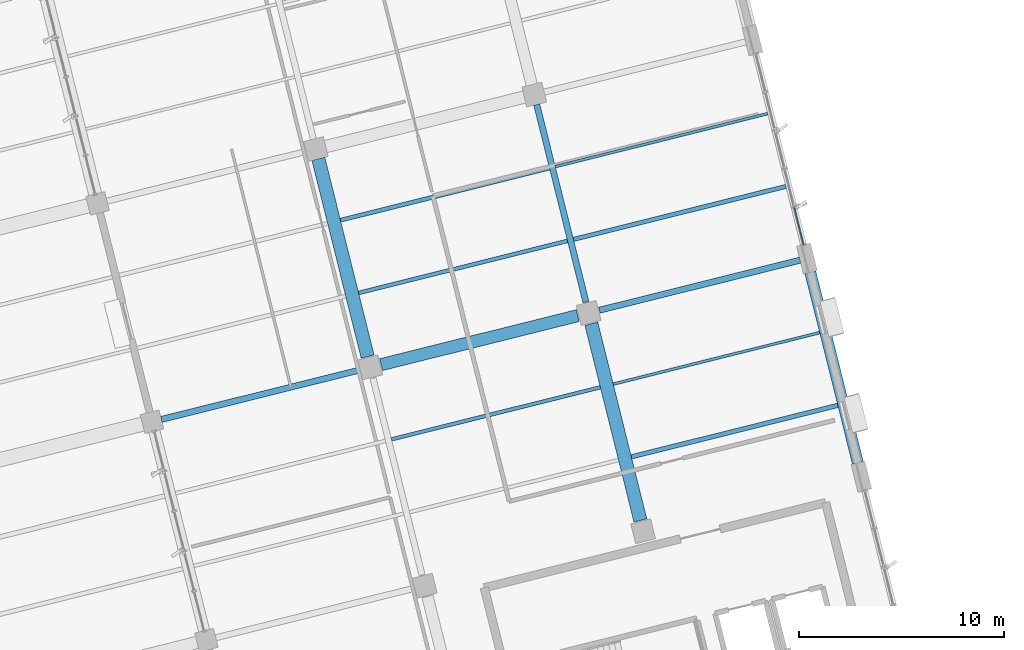
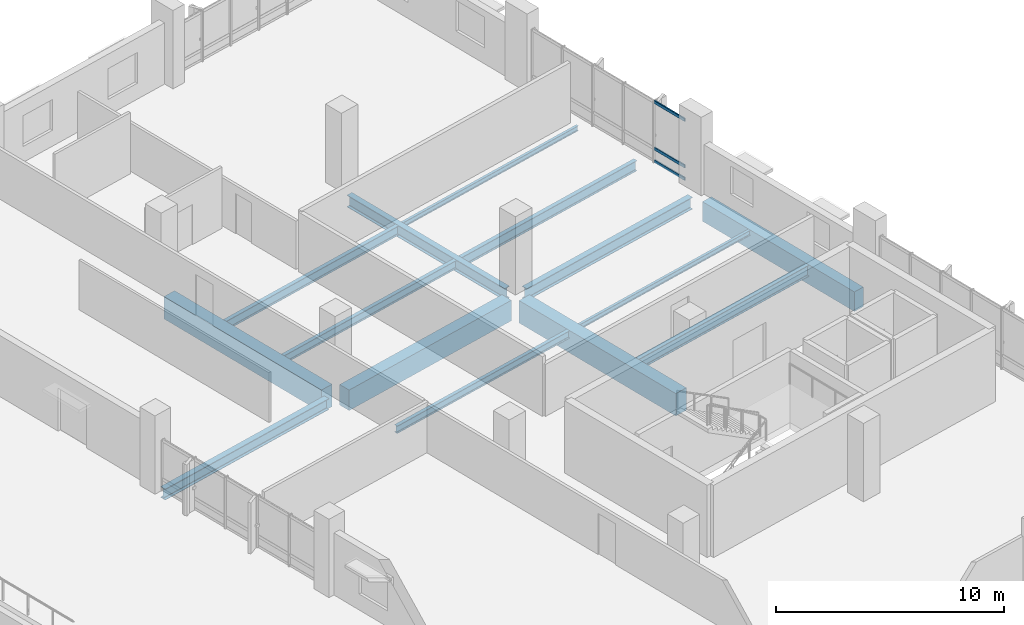
# One storey, part 39 of 75: 14 beams, 3 members, 1 element without a shape of its own.
"""IFC4 building model written with IfcOpenShell, lengths in metres."""

from ifc_helpers import new_model, si_unit, direction, frame, origin, origin_2d, place, context, subcontext, project, spatial, rectangle, hollow_rectangle, i_section, extrude, material, layer, layer_set, material_profile, profile_set, type_object, element, aggregate, save


model = new_model("IFC4")

# Units and contexts
model_context = context("Model", 3, precision=1e-05, world=origin(), true_north=direction((0.0, 1.0)))
body_context = subcontext(model_context, "Body", "Model", "MODEL_VIEW")
ifc_project = project(units=[si_unit("LENGTHUNIT", "METRE"), si_unit("AREAUNIT", "SQUARE_METRE"), si_unit("VOLUMEUNIT", "CUBIC_METRE"), si_unit("PLANEANGLEUNIT", "RADIAN"), si_unit("MASSUNIT", "GRAM", prefix="KILO")], contexts=[model_context])

# Site, building, storey
site_placement = place(None, origin())
site = spatial("IfcSite", under=ifc_project, at=site_placement, CompositionType="ELEMENT")
building_placement = place(site_placement, origin())
building = spatial("IfcBuilding", under=site, at=building_placement, Name="Khorjan Park Terminus", CompositionType="ELEMENT")
storey_placement = place(building_placement, frame((0.0, 0.0, 16.2)))
storey = spatial("IfcBuildingStorey", under=building, at=storey_placement, Name="L03", CompositionType="ELEMENT", Elevation=16.2)

# Beams
ifc_material_1 = material(Name="Steel S355", Category="steel")
ifc_material_profile_1 = material_profile(ifc_material_1, i_section(OverallWidth=0.3, OverallDepth=0.59, WebThickness=0.013, FlangeThickness=0.025, FilletRadius=0.027, at=origin_2d()), Name="HEA 600")
ifc_profile_set_1 = profile_set([ifc_material_profile_1], Name="Steel S355")
beam_type_1 = type_object("IfcBeamType", Name="BM-HEA600", PredefinedType="BEAM", material=ifc_profile_set_1)
beam_1_placement = place(storey_placement, frame((187.8312, 52.7901, -0.645), z_axis=(0.970295477616, 0.241922892916, 0.0), x_axis=(-0.241922892916, 0.970295477616, 0.0)))
element("IfcBeam", 1, at=beam_1_placement, inside=storey, type_object=beam_type_1, Name="Primary skew-grid floor girder SB-A60 (L03)", PredefinedType="BEAM", context=body_context, shape_type="SweptSolid", body=[
    extrude(i_section(OverallWidth=0.3, OverallDepth=0.59, WebThickness=0.013, FlangeThickness=0.025, FilletRadius=0.027, at=origin_2d()), origin(), (0.0, 0.0, 1.0), 9.985),
])
ifc_material_profile_2 = material_profile(ifc_material_1, i_section(OverallWidth=0.3, OverallDepth=0.64, WebThickness=0.0135, FlangeThickness=0.026, FilletRadius=0.027, at=origin_2d()), Name="HEA 650")
ifc_profile_set_2 = profile_set([ifc_material_profile_2], Name="Steel S355")
beam_type_2 = type_object("IfcBeamType", Name="BM-HEA650", PredefinedType="BEAM", material=ifc_profile_set_2)
beam_2_placement = place(storey_placement, frame((209.2505, 58.1306, -0.67), z_axis=(0.970296490369, 0.241918830968, 0.0), x_axis=(-0.241918830968, 0.970296490369, 0.0)))
element("IfcBeam", 2, at=beam_2_placement, inside=storey, type_object=beam_type_2, Name="Primary skew-grid floor girder SB-A65 (L03)", PredefinedType="BEAM", context=body_context, shape_type="SweptSolid", body=[
    extrude(i_section(OverallWidth=0.3, OverallDepth=0.64, WebThickness=0.0135, FlangeThickness=0.026, FilletRadius=0.027, at=origin_2d()), origin(), (0.0, 0.0, 1.0), 10.11),
])
beam_3_placement = place(storey_placement, frame((208.5899, 58.5275, -0.67), z_axis=(-0.241926084459, 0.970294681867, 0.0), x_axis=(-0.970294681867, -0.241926084459, 0.0)))
element("IfcBeam", 3, at=beam_3_placement, inside=storey, type_object=beam_type_2, Name="Primary skew-grid floor girder SB-A65 (L03)", PredefinedType="BEAM", context=body_context, shape_type="SweptSolid", body=[
    extrude(i_section(OverallWidth=0.3, OverallDepth=0.64, WebThickness=0.0135, FlangeThickness=0.026, FilletRadius=0.027, at=origin_2d()), origin(), (0.0, 0.0, 1.0), 9.9601),
])
ifc_material_2 = material(Name="Concrete C40/50", Category="concrete")
ifc_material_profile_3 = material_profile(ifc_material_2, rectangle(XDim=0.55, YDim=1.05, at=origin_2d()), Name="RC 550x1050")
ifc_profile_set_3 = profile_set([ifc_material_profile_3], Name="Concrete C40/50")
beam_type_3 = type_object("IfcBeamType", Name="BM-RC550x1050", PredefinedType="BEAM", material=ifc_profile_set_3)
beam_4_placement = place(storey_placement, frame((221.888, 50.661, -0.875), z_axis=(-0.241925915978, 0.970294723874, 0.0), x_axis=(-0.970294723874, -0.241925915978, 0.0)))
element("IfcBeam", 4, at=beam_4_placement, inside=storey, type_object=beam_type_3, Name="Primary skew-grid floor girder GB-105 (L03)", PredefinedType="BEAM", context=body_context, shape_type="SweptSolid", body=[
    extrude(rectangle(XDim=0.55, YDim=1.05, at=origin_2d()), origin(), (0.0, 0.0, 1.0), 9.61),
])
ifc_material_profile_4 = material_profile(ifc_material_2, rectangle(XDim=0.6, YDim=1.1, at=origin_2d()), Name="RC 600x1100")
ifc_profile_set_4 = profile_set([ifc_material_profile_4], Name="Concrete C40/50")
beam_type_4 = type_object("IfcBeamType", Name="BM-RC600x1100", PredefinedType="BEAM", material=ifc_profile_set_4)
beam_5_placement = place(storey_placement, frame((198.5773, 55.4694, -0.9), z_axis=(0.970294265828, 0.24192775306, 0.0), x_axis=(-0.24192775306, 0.970294265828, 0.0)))
element("IfcBeam", 5, at=beam_5_placement, inside=storey, type_object=beam_type_4, Name="Primary skew-grid floor girder GB-11 (L03)", PredefinedType="BEAM", context=body_context, shape_type="SweptSolid", body=[
    extrude(rectangle(XDim=0.6, YDim=1.1, at=origin_2d()), origin(), (0.0, 0.0, 1.0), 9.91),
])
ifc_material_profile_5 = material_profile(ifc_material_2, rectangle(XDim=0.65, YDim=1.2, at=origin_2d()), Name="RC 650x1200")
ifc_profile_set_5 = profile_set([ifc_material_profile_5], Name="Concrete C40/50")
beam_type_5 = type_object("IfcBeamType", Name="BM-RC650x1200", PredefinedType="BEAM", material=ifc_profile_set_5)
beam_6_placement = place(storey_placement, frame((197.9166, 55.8664, -0.95), z_axis=(-0.241918988709, 0.970296451041, 0.0), x_axis=(-0.970296451041, -0.241918988709, 0.0)))
element("IfcBeam", 6, at=beam_6_placement, inside=storey, type_object=beam_type_5, Name="Primary skew-grid floor girder GB-12 (L03)", PredefinedType="BEAM", context=body_context, shape_type="SweptSolid", body=[
    extrude(rectangle(XDim=0.65, YDim=1.2, at=origin_2d()), origin(), (0.0, 0.0, 1.0), 9.9599),
])
beam_7_placement = place(storey_placement, frame((211.251, 47.8543, -0.95), z_axis=(-0.24192775306, 0.970294265828, 0.0), x_axis=(-0.970294265828, -0.24192775306, 0.0)))
element("IfcBeam", 7, at=beam_7_placement, inside=storey, type_object=beam_type_5, Name="Primary skew-grid floor girder GB-12 (L03)", PredefinedType="BEAM", context=body_context, shape_type="SweptSolid", body=[
    extrude(rectangle(XDim=0.65, YDim=1.2, at=origin_2d()), origin(), (0.0, 0.0, 1.0), 9.91),
])
ifc_material_profile_6 = material_profile(ifc_material_1, i_section(OverallWidth=0.135, OverallDepth=0.27, WebThickness=0.0066, FlangeThickness=0.0102, FilletRadius=0.015, at=origin_2d()), Name="IPE 270")
ifc_profile_set_6 = profile_set([ifc_material_profile_6], Name="Steel S355")
beam_type_6 = type_object("IfcBeamType", Name="JS-IPE270", PredefinedType="JOIST", material=ifc_profile_set_6)
beam_8_placement = place(storey_placement, frame((209.9241, 54.5196, -0.485), z_axis=(0.970297843589, 0.241913403364, 0.0), x_axis=(-0.241913403364, 0.970297843589, 0.0)))
element("IfcBeam", 8, at=beam_8_placement, inside=storey, type_object=beam_type_6, Name="Secondary composite floor joist SJ-27 (L03)", PredefinedType="JOIST", context=body_context, shape_type="SweptSolid", body=[
    extrude(i_section(OverallWidth=0.135, OverallDepth=0.27, WebThickness=0.0066, FlangeThickness=0.0102, FilletRadius=0.015, at=origin_2d()), origin(), (0.0, 0.0, 1.0), 10.4),
])
beam_9_placement = place(storey_placement, frame((207.0932, 65.1505, -0.485), z_axis=(0.970296784962, 0.241917649404, 0.0), x_axis=(-0.241917649404, 0.970296784962, 0.0)))
element("IfcBeam", 9, at=beam_9_placement, inside=storey, type_object=beam_type_6, Name="Secondary composite floor joist SJ-27 (L03)", PredefinedType="JOIST", context=body_context, shape_type="SweptSolid", body=[
    extrude(i_section(OverallWidth=0.135, OverallDepth=0.27, WebThickness=0.0066, FlangeThickness=0.0102, FilletRadius=0.015, at=origin_2d()), origin(), (0.0, 0.0, 1.0), 10.6999),
])
ifc_material_profile_7 = material_profile(ifc_material_1, i_section(OverallWidth=0.18, OverallDepth=0.4, WebThickness=0.0086, FlangeThickness=0.0135, FilletRadius=0.021, at=origin_2d()), Name="IPE 400")
ifc_profile_set_7 = profile_set([ifc_material_profile_7], Name="Steel S355")
beam_type_7 = type_object("IfcBeamType", Name="JS-IPE400", PredefinedType="JOIST", material=ifc_profile_set_7)
beam_10_placement = place(storey_placement, frame((199.081, 51.8161, -0.55), z_axis=(0.970296558074, 0.241918559415, 0.0), x_axis=(-0.241918559415, 0.970296558074, 0.0)))
element("IfcBeam", 10, at=beam_10_placement, inside=storey, type_object=beam_type_7, Name="Secondary composite floor joist SJ-40 (L03)", PredefinedType="JOIST", context=body_context, shape_type="SweptSolid", body=[
    extrude(i_section(OverallWidth=0.18, OverallDepth=0.4, WebThickness=0.0086, FlangeThickness=0.0135, FilletRadius=0.021, at=origin_2d()), origin(), (0.0, 0.0, 1.0), 10.525),
])
ifc_material_profile_8 = material_profile(ifc_material_1, i_section(OverallWidth=0.19, OverallDepth=0.45, WebThickness=0.0094, FlangeThickness=0.0146, FilletRadius=0.021, at=origin_2d()), Name="IPE 450")
ifc_profile_set_8 = profile_set([ifc_material_profile_8], Name="Steel S355")
beam_type_8 = type_object("IfcBeamType", Name="JS-IPE450", PredefinedType="JOIST", material=ifc_profile_set_8)
beam_11_placement = place(storey_placement, frame((197.4767, 58.974, -0.575), z_axis=(0.970296558074, 0.241918559415, 0.0), x_axis=(-0.241918559415, 0.970296558074, 0.0)))
element("IfcBeam", 11, at=beam_11_placement, inside=storey, type_object=beam_type_8, Name="Secondary composite floor joist SJ-45 (L03)", PredefinedType="JOIST", context=body_context, shape_type="SweptSolid", body=[
    extrude(i_section(OverallWidth=0.19, OverallDepth=0.45, WebThickness=0.0094, FlangeThickness=0.0146, FilletRadius=0.021, at=origin_2d()), origin(), (0.0, 0.0, 1.0), 10.525),
])
ifc_material_profile_9 = material_profile(ifc_material_1, i_section(OverallWidth=0.2, OverallDepth=0.5, WebThickness=0.0102, FlangeThickness=0.016, FilletRadius=0.021, at=origin_2d()), Name="IPE 500")
ifc_profile_set_9 = profile_set([ifc_material_profile_9], Name="Steel S355")
beam_type_9 = type_object("IfcBeamType", Name="JS-IPE500", PredefinedType="JOIST", material=ifc_profile_set_9)
beam_12_placement = place(storey_placement, frame((196.5897, 62.5317, -0.6), z_axis=(0.970296558074, 0.241918559415, 0.0), x_axis=(-0.241918559415, 0.970296558074, 0.0)))
element("IfcBeam", 12, at=beam_12_placement, inside=storey, type_object=beam_type_9, Name="Secondary composite floor joist SJ-50 (L03)", PredefinedType="JOIST", context=body_context, shape_type="SweptSolid", body=[
    extrude(i_section(OverallWidth=0.2, OverallDepth=0.5, WebThickness=0.0102, FlangeThickness=0.016, FilletRadius=0.021, at=origin_2d()), origin(), (0.0, 0.0, 1.0), 10.525),
])
ifc_material_profile_10 = material_profile(ifc_material_1, i_section(OverallWidth=0.21, OverallDepth=0.55, WebThickness=0.0111, FlangeThickness=0.0172, FilletRadius=0.024, at=origin_2d()), Name="IPE 550")
ifc_profile_set_10 = profile_set([ifc_material_profile_10], Name="Steel S355")
beam_type_10 = type_object("IfcBeamType", Name="JS-IPE550", PredefinedType="JOIST", material=ifc_profile_set_10)
beam_13_placement = place(storey_placement, frame((207.9802, 61.5928, -0.625), z_axis=(0.970295138144, 0.241924254455, 0.0), x_axis=(-0.241924254455, 0.970295138144, 0.0)))
element("IfcBeam", 13, at=beam_13_placement, inside=storey, type_object=beam_type_10, Name="Secondary composite floor joist SJ-55 (L03)", PredefinedType="JOIST", context=body_context, shape_type="SweptSolid", body=[
    extrude(i_section(OverallWidth=0.21, OverallDepth=0.55, WebThickness=0.0111, FlangeThickness=0.0172, FilletRadius=0.024, at=origin_2d()), origin(), (0.0, 0.0, 1.0), 10.7),
])
ifc_material_profile_11 = material_profile(ifc_material_1, i_section(OverallWidth=0.22, OverallDepth=0.6, WebThickness=0.012, FlangeThickness=0.019, FilletRadius=0.024, at=origin_2d()), Name="IPE 600")
ifc_profile_set_11 = profile_set([ifc_material_profile_11], Name="Steel S355")
beam_type_11 = type_object("IfcBeamType", Name="JS-IPE600", PredefinedType="JOIST", material=ifc_profile_set_11)
beam_14_placement = place(storey_placement, frame((210.8111, 50.9619, -0.65), z_axis=(0.970295586552, 0.241922456002, 0.0), x_axis=(-0.241922456002, 0.970295586552, 0.0)))
element("IfcBeam", 14, at=beam_14_placement, inside=storey, type_object=beam_type_11, Name="Secondary composite floor joist SJ-60 (L03)", PredefinedType="JOIST", context=body_context, shape_type="SweptSolid", body=[
    extrude(i_section(OverallWidth=0.22, OverallDepth=0.6, WebThickness=0.012, FlangeThickness=0.019, FilletRadius=0.024, at=origin_2d()), origin(), (0.0, 0.0, 1.0), 10.4),
])

# Curtain wall, members
ifc_material_3 = material(Name="Anodized Bronze Aluminium", Category="aluminium")
ifc_layer = layer(ifc_material_3, 0.22)
ifc_layer_set = layer_set([ifc_layer], Name="Anodized Bronze Aluminium")
curtain_wall_type = type_object("IfcCurtainWallType", Name="CW-OPS-B", PredefinedType="NOTDEFINED", material=ifc_layer_set)
curtain_wall_placement = place(storey_placement, origin())
curtain_wall = element("IfcCurtainWall", 15, at=curtain_wall_placement, inside=storey, type_object=curtain_wall_type, Name="Unitized curtain wall CW-B (CW-V5-E-L03-B05)", PredefinedType="NOTDEFINED")
ifc_material_profile_12 = material_profile(ifc_material_3, hollow_rectangle(XDim=0.07, YDim=0.16, WallThickness=0.004, InnerFilletRadius=0.004, OuterFilletRadius=0.008, at=origin_2d()), Name="ALT 70x160x4")
ifc_profile_set_12 = profile_set([ifc_material_profile_12], Name="Anodized Bronze Aluminium")
member_type = type_object("IfcMemberType", Name="TR-ALT-160", PredefinedType="USERDEFINED", material=ifc_profile_set_12)
member_1_placement = place(storey_placement, frame((219.2305, 61.3198, 0.04), z_axis=(-0.241913157049, 0.970297905, 0.0), x_axis=(-0.970297905, -0.241913157049, 0.0)))
member_1 = element("IfcMember", 16, at=member_1_placement, type_object=member_type, Name="Curtain-wall transom TR-16 (CW-V5-E-L03-B05-0-1)", ObjectType="TRANSOM", PredefinedType="USERDEFINED", context=body_context, shape_type="SweptSolid", body=[
    extrude(hollow_rectangle(XDim=0.07, YDim=0.16, WallThickness=0.004, InnerFilletRadius=0.004, OuterFilletRadius=0.008, at=origin_2d()), origin(), (0.0, 0.0, 1.0), 1.928),
])
member_2_placement = place(storey_placement, frame((219.2305, 61.3198, 0.714), z_axis=(-0.241913157049, 0.970297905, 0.0), x_axis=(-0.970297905, -0.241913157049, 0.0)))
member_2 = element("IfcMember", 17, at=member_2_placement, type_object=member_type, Name="Curtain-wall transom TR-16 (CW-V5-E-L03-B05-0-2)", ObjectType="TRANSOM", PredefinedType="USERDEFINED", context=body_context, shape_type="SweptSolid", body=[
    extrude(hollow_rectangle(XDim=0.07, YDim=0.16, WallThickness=0.004, InnerFilletRadius=0.004, OuterFilletRadius=0.008, at=origin_2d()), origin(), (0.0, 0.0, 1.0), 1.928),
])
member_3_placement = place(storey_placement, frame((219.2305, 61.3198, 3.205), z_axis=(-0.241913157049, 0.970297905, 0.0), x_axis=(-0.970297905, -0.241913157049, 0.0)))
member_3 = element("IfcMember", 18, at=member_3_placement, type_object=member_type, Name="Curtain-wall transom TR-16 (CW-V5-E-L03-B05-0-3)", ObjectType="TRANSOM", PredefinedType="USERDEFINED", context=body_context, shape_type="SweptSolid", body=[
    extrude(hollow_rectangle(XDim=0.07, YDim=0.16, WallThickness=0.004, InnerFilletRadius=0.004, OuterFilletRadius=0.008, at=origin_2d()), origin(), (0.0, 0.0, 1.0), 1.928),
])
aggregate(curtain_wall, [member_1, member_2, member_3])

save(model, "model.ifc")
